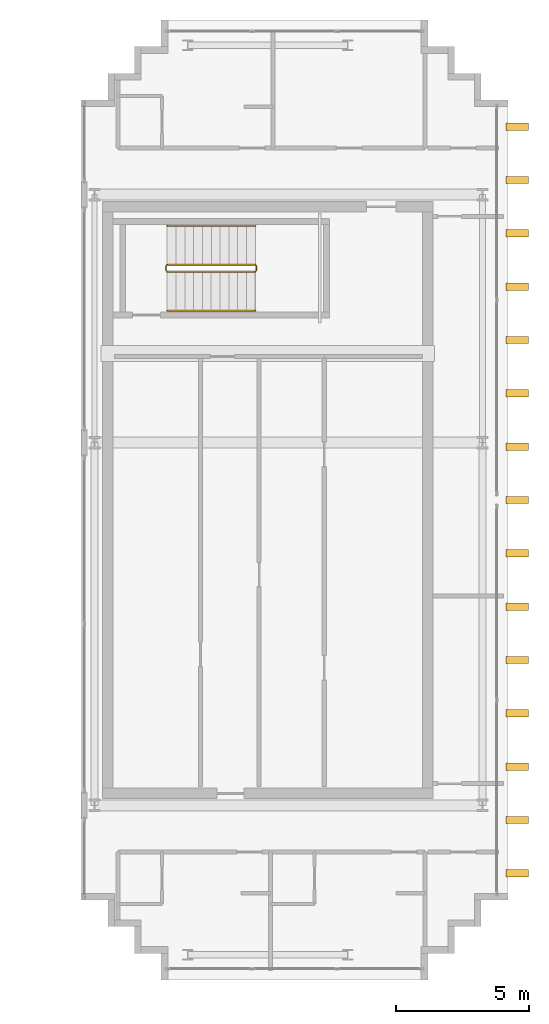
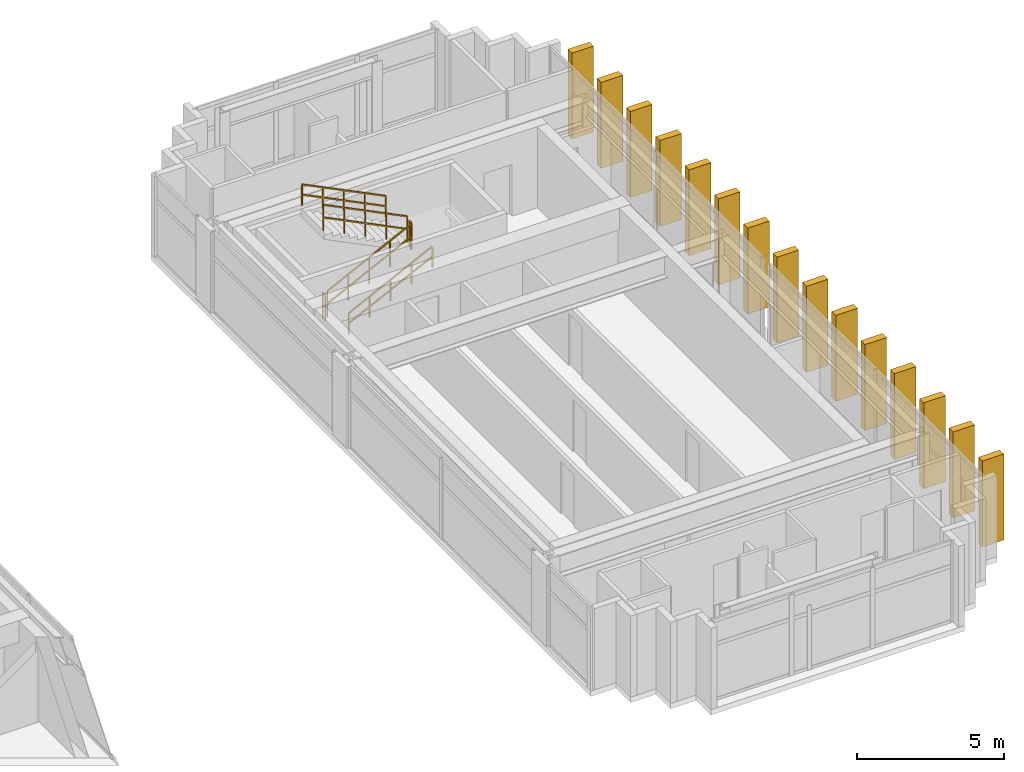
# One storey, part 25 of 25: 15 shading devices, 6 railings.
"""IFC4 building model written with IfcOpenShell, lengths in metres."""

from ifc_helpers import new_model, si_unit, direction, frame, origin, origin_2d, place, context, subcontext, project, spatial, rectangle, extrude, source, transform, mapped, material, type_object, element, save


model = new_model("IFC4")

# Units and contexts
model_context = context("Model", 3, precision=1e-05, world=origin(), true_north=direction((0.0, 1.0)))
body_context = subcontext(model_context, "Body", "Model", "MODEL_VIEW")
ifc_project = project(units=[si_unit("LENGTHUNIT", "METRE"), si_unit("AREAUNIT", "SQUARE_METRE"), si_unit("VOLUMEUNIT", "CUBIC_METRE"), si_unit("PLANEANGLEUNIT", "RADIAN"), si_unit("MASSUNIT", "GRAM", prefix="KILO")], contexts=[model_context])

# Site, building, storey
site_placement = place(None, origin())
site = spatial("IfcSite", under=ifc_project, at=site_placement, CompositionType="ELEMENT")
building_placement = place(site_placement, origin())
building = spatial("IfcBuilding", under=site, at=building_placement, Name="Ocotamira Hotel", CompositionType="ELEMENT")
storey_placement = place(building_placement, frame((0.0, 0.0, 254.39990234375)))
storey = spatial("IfcBuildingStorey", under=building, at=storey_placement, Name="L64", CompositionType="ELEMENT", Elevation=254.39990234375)

# Railings
ifc_material_1 = material(Name="Brushed stainless steel handrail", Category="steel")
railing_type_1 = type_object("IfcRailingType", Name="RL-HAND-900", PredefinedType="HANDRAIL", material=ifc_material_1)
railing_1_placement = place(storey_placement, frame((43.22998046875, 33.10009765625, 0.327392578125)))
element("IfcRailing", 1, at=railing_1_placement, inside=storey, type_object=railing_type_1, Name="L64 ST-4 stair handrail 1", PredefinedType="HANDRAIL", context=body_context, shape_type="SweptSolid", body=[
    extrude(rectangle(XDim=0.048095703125, YDim=0.048095703125, at=origin_2d()), frame((0.0, 0.0, 0.8759765625), z_axis=(0.895920123917, 0.0, 0.444215186098), x_axis=(0.0, 1.0, 0.0)), (0.0, 0.0, 1.0), 3.683349609375),
    extrude(rectangle(XDim=0.048095703125, YDim=0.048095703125, at=origin_2d()), frame((0.0, 0.0, 0.449951171875), z_axis=(0.895920123917, 0.0, 0.444215186098), x_axis=(0.0, 1.0, 0.0)), (0.0, 0.0, 1.0), 3.683349609375),
    extrude(rectangle(XDim=0.0419921875, YDim=0.0419921875, at=origin_2d()), origin(), (0.0, 0.0, 1.0), 0.851806640625),
    extrude(rectangle(XDim=0.0419921875, YDim=0.0419921875, at=origin_2d()), frame((0.824951171875, 0.0, 0.4091796875)), (0.0, 0.0, 1.0), 0.851806640625),
    extrude(rectangle(XDim=0.0419921875, YDim=0.0419921875, at=origin_2d()), frame((1.64990234375, 0.0, 0.818115234375)), (0.0, 0.0, 1.0), 0.851806640625),
    extrude(rectangle(XDim=0.0419921875, YDim=0.0419921875, at=origin_2d()), frame((2.47509765625, 0.0, 1.22705078125)), (0.0, 0.0, 1.0), 0.851806640625),
    extrude(rectangle(XDim=0.0419921875, YDim=0.0419921875, at=origin_2d()), frame((3.300048828125, 0.0, 1.63623046875)), (0.0, 0.0, 1.0), 0.851806640625),
])
railing_2_placement = place(storey_placement, frame((46.530029296875, 36.280029296875, 2.12744140625)))
element("IfcRailing", 2, at=railing_2_placement, inside=storey, type_object=railing_type_1, Name="L64 ST-4 stair handrail 2", PredefinedType="HANDRAIL", context=body_context, shape_type="SweptSolid", body=[
    extrude(rectangle(XDim=0.048095703125, YDim=0.048095703125, at=origin_2d()), frame((0.0, 0.0, 0.8759765625), z_axis=(-0.895920123917, 0.0, 0.444215186098), x_axis=(0.0, -1.0, 0.0)), (0.0, 0.0, 1.0), 3.683349609375),
    extrude(rectangle(XDim=0.048095703125, YDim=0.048095703125, at=origin_2d()), frame((0.0, 0.0, 0.449951171875), z_axis=(-0.895920123917, 0.0, 0.444215186098), x_axis=(0.0, -1.0, 0.0)), (0.0, 0.0, 1.0), 3.683349609375),
    extrude(rectangle(XDim=0.0419921875, YDim=0.0419921875, at=origin_2d()), origin(), (0.0, 0.0, 1.0), 0.851806640625),
    extrude(rectangle(XDim=0.0419921875, YDim=0.0419921875, at=origin_2d()), frame((-0.824951171875, 0.0, 0.4091796875)), (0.0, 0.0, 1.0), 0.851806640625),
    extrude(rectangle(XDim=0.0419921875, YDim=0.0419921875, at=origin_2d()), frame((-1.64990234375, 0.0, 0.818115234375)), (0.0, 0.0, 1.0), 0.851806640625),
    extrude(rectangle(XDim=0.0419921875, YDim=0.0419921875, at=origin_2d()), frame((-2.47509765625, 0.0, 1.22705078125)), (0.0, 0.0, 1.0), 0.851806640625),
    extrude(rectangle(XDim=0.0419921875, YDim=0.0419921875, at=origin_2d()), frame((-3.300048828125, 0.0, 1.63623046875)), (0.0, 0.0, 1.0), 0.851806640625),
])
ifc_material_2 = material(Name="Painted steel stair guardrail", Category="steel")
railing_type_2 = type_object("IfcRailingType", Name="RL-STAIR-1100", PredefinedType="GUARDRAIL", material=ifc_material_2)
railing_3_placement = place(storey_placement, frame((43.22998046875, 34.56005859375, 0.163818359375)))
element("IfcRailing", 3, at=railing_3_placement, inside=storey, type_object=railing_type_2, Name="L64 ST-4 stair guard 1", PredefinedType="GUARDRAIL", context=body_context, shape_type="SweptSolid", body=[
    extrude(rectangle(XDim=0.048095703125, YDim=0.048095703125, at=origin_2d()), frame((0.0, 0.0, 1.076171875), z_axis=(0.895920123917, 0.0, 0.444215186098), x_axis=(0.0, 1.0, 0.0)), (0.0, 0.0, 1.0), 3.683349609375),
    extrude(rectangle(XDim=0.048095703125, YDim=0.048095703125, at=origin_2d()), frame((0.0, 0.0, 0.550048828125), z_axis=(0.895920123917, 0.0, 0.444215186098), x_axis=(0.0, 1.0, 0.0)), (0.0, 0.0, 1.0), 3.683349609375),
    extrude(rectangle(XDim=0.0419921875, YDim=0.0419921875, at=origin_2d()), origin(), (0.0, 0.0, 1.0), 1.052001953125),
    extrude(rectangle(XDim=0.0419921875, YDim=0.0419921875, at=origin_2d()), frame((0.824951171875, 0.0, 0.4091796875)), (0.0, 0.0, 1.0), 1.052001953125),
    extrude(rectangle(XDim=0.0419921875, YDim=0.0419921875, at=origin_2d()), frame((1.64990234375, 0.0, 0.818115234375)), (0.0, 0.0, 1.0), 1.052001953125),
    extrude(rectangle(XDim=0.0419921875, YDim=0.0419921875, at=origin_2d()), frame((2.47509765625, 0.0, 1.22705078125)), (0.0, 0.0, 1.0), 1.052001953125),
    extrude(rectangle(XDim=0.0419921875, YDim=0.0419921875, at=origin_2d()), frame((3.300048828125, 0.0, 1.63623046875)), (0.0, 0.0, 1.0), 1.052001953125),
])
railing_4_placement = place(storey_placement, frame((46.580078125, 34.610107421875, 1.800048828125)))
element("IfcRailing", 4, at=railing_4_placement, inside=storey, type_object=railing_type_2, Name="L64 ST-4 stair guard 2", PredefinedType="GUARDRAIL", context=body_context, shape_type="SweptSolid", body=[
    extrude(rectangle(XDim=0.048095703125, YDim=0.048095703125, at=origin_2d()), frame((0.0, 0.0, 1.076171875), z_axis=(0.0, 1.0, 0.0), x_axis=(-1.0, 0.0, 0.0)), (0.0, 0.0, 1.0), 0.159912109375),
    extrude(rectangle(XDim=0.048095703125, YDim=0.048095703125, at=origin_2d()), frame((0.0, 0.0, 0.550048828125), z_axis=(0.0, 1.0, 0.0), x_axis=(-1.0, 0.0, 0.0)), (0.0, 0.0, 1.0), 0.159912109375),
    extrude(rectangle(XDim=0.0419921875, YDim=0.0419921875, at=origin_2d()), origin(), (0.0, 0.0, 1.0), 1.052001953125),
    extrude(rectangle(XDim=0.0419921875, YDim=0.0419921875, at=origin_2d()), frame((0.0, 0.159912109375, 0.0)), (0.0, 0.0, 1.0), 1.052001953125),
])
railing_5_placement = place(storey_placement, frame((46.530029296875, 34.820068359375, 1.963623046875)))
element("IfcRailing", 5, at=railing_5_placement, inside=storey, type_object=railing_type_2, Name="L64 ST-4 stair guard 3", PredefinedType="GUARDRAIL", context=body_context, shape_type="SweptSolid", body=[
    extrude(rectangle(XDim=0.048095703125, YDim=0.048095703125, at=origin_2d()), frame((0.0, 0.0, 1.076171875), z_axis=(-0.895893744519, 0.0, 0.4442683857), x_axis=(0.0, -1.0, 0.0)), (0.0, 0.0, 1.0), 3.68359375),
    extrude(rectangle(XDim=0.048095703125, YDim=0.048095703125, at=origin_2d()), frame((0.0, 0.0, 0.550048828125), z_axis=(-0.895893744519, 0.0, 0.4442683857), x_axis=(0.0, -1.0, 0.0)), (0.0, 0.0, 1.0), 3.68359375),
    extrude(rectangle(XDim=0.0419921875, YDim=0.0419921875, at=origin_2d()), origin(), (0.0, 0.0, 1.0), 1.052001953125),
    extrude(rectangle(XDim=0.0419921875, YDim=0.0419921875, at=origin_2d()), frame((-0.824951171875, 0.0, 0.4091796875)), (0.0, 0.0, 1.0), 1.052001953125),
    extrude(rectangle(XDim=0.0419921875, YDim=0.0419921875, at=origin_2d()), frame((-1.64990234375, 0.0, 0.818359375)), (0.0, 0.0, 1.0), 1.052001953125),
    extrude(rectangle(XDim=0.0419921875, YDim=0.0419921875, at=origin_2d()), frame((-2.47509765625, 0.0, 1.227294921875)), (0.0, 0.0, 1.0), 1.052001953125),
    extrude(rectangle(XDim=0.0419921875, YDim=0.0419921875, at=origin_2d()), frame((-3.300048828125, 0.0, 1.636474609375)), (0.0, 0.0, 1.0), 1.052001953125),
])
railing_6_placement = place(storey_placement, frame((43.179931640625, 34.610107421875, 0.0)))
element("IfcRailing", 6, at=railing_6_placement, inside=storey, type_object=railing_type_2, Name="L64 ST-4 stair guard 4", PredefinedType="GUARDRAIL", context=body_context, shape_type="SweptSolid", body=[
    extrude(rectangle(XDim=0.048095703125, YDim=0.048095703125, at=origin_2d()), frame((0.0, 0.0, 1.076171875), z_axis=(0.0, 1.0, 0.0), x_axis=(-1.0, 0.0, 0.0)), (0.0, 0.0, 1.0), 0.159912109375),
    extrude(rectangle(XDim=0.048095703125, YDim=0.048095703125, at=origin_2d()), frame((0.0, 0.0, 0.550048828125), z_axis=(0.0, 1.0, 0.0), x_axis=(-1.0, 0.0, 0.0)), (0.0, 0.0, 1.0), 0.159912109375),
    extrude(rectangle(XDim=0.0419921875, YDim=0.0419921875, at=origin_2d()), origin(), (0.0, 0.0, 1.0), 1.052001953125),
    extrude(rectangle(XDim=0.0419921875, YDim=0.0419921875, at=origin_2d()), frame((0.0, 0.159912109375, 0.0)), (0.0, 0.0, 1.0), 1.052001953125),
])

# Shading devices
ifc_material_3 = material(Name="Pale-metal anodised aluminium architectural fin", Category="aluminium")
shading_device_type = type_object("IfcShadingDeviceType", Name="SHD-PIER-850", PredefinedType="USERDEFINED", material=ifc_material_3)
shared_shape = source(origin(), body_context, "Body", "SweptSolid", [
    extrude(rectangle(XDim=0.85009765625, YDim=0.280029296875, at=origin_2d()), origin(), (0.0, 0.0, 1.0), 3.580078125),
])
for number, where, z_axis, x_axis, name in (
    (7, (56.35009765625, 12.0, -0.099853515625), (0.0, 0.0, 1.0), (1.0, 0.0, 0.0), "L64 Vertical Pale-Metal Pier E Y12"),
    (8, (56.35009765625, 14.0, -0.099853515625), (0.0, 0.0, 1.0), (1.0, 0.0, 0.0), "L64 Vertical Pale-Metal Pier E Y14"),
    (9, (56.35009765625, 16.0, -0.099853515625), (0.0, 0.0, 1.0), (1.0, 0.0, 0.0), "L64 Vertical Pale-Metal Pier E Y16"),
    (10, (56.35009765625, 18.0, -0.099853515625), (0.0, 0.0, 1.0), (1.0, 0.0, 0.0), "L64 Vertical Pale-Metal Pier E Y18"),
    (11, (56.35009765625, 20.0, -0.099853515625), (0.0, 0.0, 1.0), (1.0, 0.0, 0.0), "L64 Vertical Pale-Metal Pier E Y20"),
    (12, (56.35009765625, 22.0, -0.099853515625), (0.0, 0.0, 1.0), (1.0, 0.0, 0.0), "L64 Vertical Pale-Metal Pier E Y22"),
    (13, (56.35009765625, 24.0, -0.099853515625), (0.0, 0.0, 1.0), (1.0, 0.0, 0.0), "L64 Vertical Pale-Metal Pier E Y24"),
    (14, (56.35009765625, 26.0, -0.099853515625), (0.0, 0.0, 1.0), (1.0, 0.0, 0.0), "L64 Vertical Pale-Metal Pier E Y26"),
    (15, (56.35009765625, 28.0, -0.099853515625), (0.0, 0.0, 1.0), (1.0, 0.0, 0.0), "L64 Vertical Pale-Metal Pier E Y28"),
    (16, (56.35009765625, 30.0, -0.099853515625), (0.0, 0.0, 1.0), (1.0, 0.0, 0.0), "L64 Vertical Pale-Metal Pier E Y30"),
    (17, (56.35009765625, 32.0, -0.099853515625), (0.0, 0.0, 1.0), (1.0, 0.0, 0.0), "L64 Vertical Pale-Metal Pier E Y32"),
    (18, (56.35009765625, 34.0, -0.099853515625), (0.0, 0.0, 1.0), (1.0, 0.0, 0.0), "L64 Vertical Pale-Metal Pier E Y34"),
    (19, (56.35009765625, 36.0, -0.099853515625), (0.0, 0.0, 1.0), (1.0, 0.0, 0.0), "L64 Vertical Pale-Metal Pier E Y36"),
    (20, (56.35009765625, 38.0, -0.099853515625), (0.0, 0.0, 1.0), (1.0, 0.0, 0.0), "L64 Vertical Pale-Metal Pier E Y38"),
    (21, (56.35009765625, 40.0, -0.099853515625), (0.0, 0.0, 1.0), (1.0, 0.0, 0.0), "L64 Vertical Pale-Metal Pier E Y40"),
):
    element("IfcShadingDevice", number, at=place(storey_placement, frame(where, z_axis=z_axis, x_axis=x_axis)), inside=storey, type_object=shading_device_type, Name=name, ObjectType="FIN", PredefinedType="USERDEFINED", context=body_context, shape_type="MappedRepresentation", body=[
        mapped(shared_shape, transform((0.0, 0.0, 0.0), scale=1.0)),
    ])

save(model, "model.ifc")
